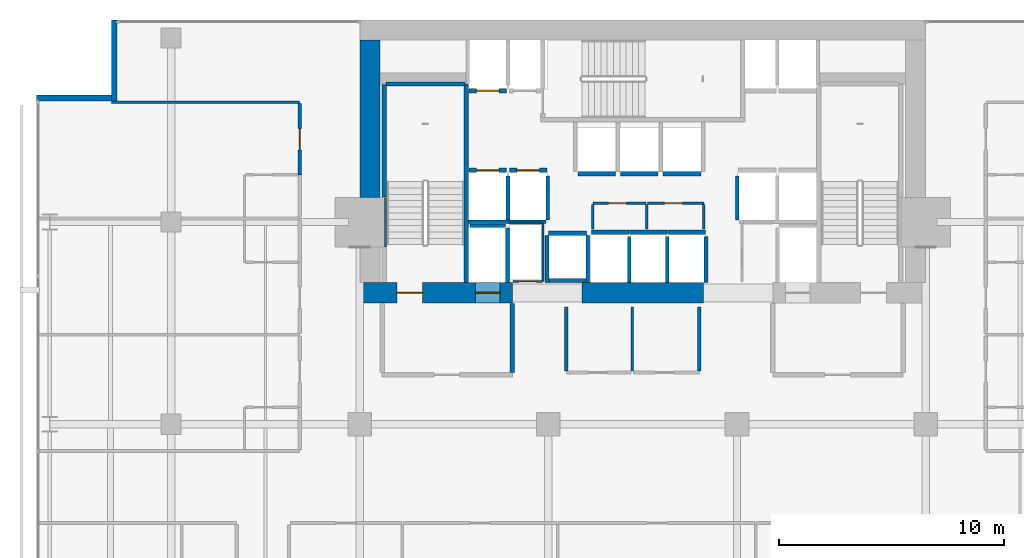
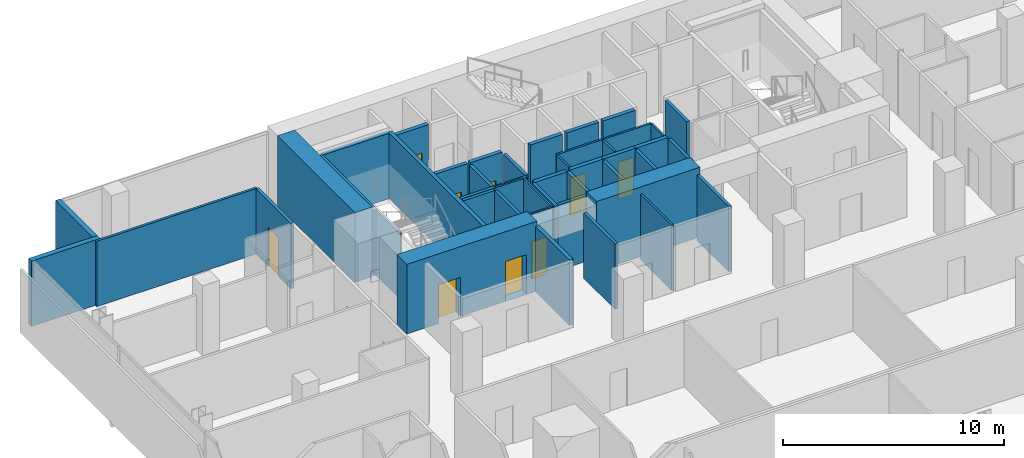
# One storey, part 36 of 41: 45 walls, 9 doors, 9 openings.
"""IFC4 building model written with IfcOpenShell, lengths in metres."""

from ifc_helpers import new_model, si_unit, direction, frame, frame_2d, origin, place, context, subcontext, project, spatial, rectangle, extrude, material, layer, layer_set, type_object, element, fill, save


model = new_model("IFC4")

# Units and contexts
model_context = context("Model", 3, precision=1e-05, world=origin(), true_north=direction((0.0, 1.0)))
body_context = subcontext(model_context, "Body", "Model", "MODEL_VIEW")
ifc_project = project(units=[si_unit("LENGTHUNIT", "METRE"), si_unit("AREAUNIT", "SQUARE_METRE"), si_unit("VOLUMEUNIT", "CUBIC_METRE"), si_unit("PLANEANGLEUNIT", "RADIAN"), si_unit("MASSUNIT", "GRAM", prefix="KILO")], contexts=[model_context])

# Site, building, storey
site_placement = place(None, origin())
site = spatial("IfcSite", under=ifc_project, at=site_placement, CompositionType="ELEMENT")
building_placement = place(site_placement, origin())
building = spatial("IfcBuilding", under=site, at=building_placement, Name="Maruvema Waterfront Hotel and Observation Tower", CompositionType="ELEMENT")
storey_placement = place(building_placement, frame((0.0, 0.0, 84.699951171875)))
storey = spatial("IfcBuildingStorey", under=building, at=storey_placement, Name="L20", CompositionType="ELEMENT", Elevation=84.699951171875)

# Walls
ifc_material_1 = material(Name="Twin-stud acoustic gypsum drywall", Category="gypsum")
ifc_layer_1 = layer(ifc_material_1, 0.14990234375, Name="Acoustic Corridor and Suite Demising Wall 150 mm")
ifc_layer_set_1 = layer_set([ifc_layer_1], Name="Twin-stud acoustic gypsum drywall")
wall_type_1 = type_object("IfcWallType", Name="Acoustic Corridor and Suite Demising Wall 150 mm", PredefinedType="PARTITIONING", material=ifc_layer_set_1)
for number, where, z_axis, x_axis, name in (
    (1, (34.39990234375, 38.3798828125, 0.0), (0.0, 0.0, 1.0), (0.0, 1.0, 0.0), "L20 Core Apron K2 West 019"),
    (2, (40.320068359375, 38.3798828125, 0.0), (0.0, 0.0, 1.0), (0.0, 1.0, 0.0), "L20 Core Apron K2 East 021"),
):
    element("IfcWall", number, at=place(storey_placement, frame(where, z_axis=z_axis, x_axis=x_axis)), inside=storey, type_object=wall_type_1, Name=name, PredefinedType="PARTITIONING", context=body_context, shape_type="SweptSolid", body=[
        extrude(rectangle(XDim=2.840087890625, YDim=0.14990234375, at=frame_2d((1.419921875, 0.0))), origin(), (0.0, 0.0, 1.0), 3.610107421875),
    ])

# Wall, opening, door
wall_1_placement = place(storey_placement, frame((22.52001953125, 47.1083984375, 0.0), z_axis=(0.0, 0.0, 1.0), x_axis=(0.0, 1.0, 0.0)))
wall_1 = element("IfcWall", 3, at=wall_1_placement, inside=storey, type_object=wall_type_1, Name="L20 Room L20-NW3 Corridor Wall 143", PredefinedType="PARTITIONING", context=body_context, shape_type="SweptSolid", body=[
    extrude(rectangle(XDim=3.169189453125, YDim=0.14990234375, at=frame_2d((1.58447265625, 0.0))), origin(), (0.0, 0.0, 1.0), 3.610107421875),
])
opening_1_placement = place(wall_1_placement, frame((1.109619140625, 0.0, 0.0)))
opening_1 = element("IfcOpeningElement", 4, at=opening_1_placement, cuts=wall_1, Name="Opening DR-095", PredefinedType="OPENING", context=body_context, shape_type="SweptSolid", body=[
    extrude(rectangle(XDim=0.949951171875, YDim=2.14990234375, at=frame_2d((0.47509765625, 1.074951171875))), frame((0.0, 0.0849609375, 0.0), z_axis=(0.0, -1.0, 0.0), x_axis=(1.0, 0.0, 0.0)), (0.0, 0.0, 1.0), 0.169921875),
])
ifc_material_2 = material(Name="Acoustic solid-core hardwood timber leaf", Category="wood")
door_type_1 = type_object("IfcDoorType", Name="Guestroom Entrance Fire Door 950x2150 mm", OperationType="NOTDEFINED", PredefinedType="DOOR", material=ifc_material_2)
door_1_placement = place(opening_1_placement, origin())
door_1 = element("IfcDoor", 5, at=door_1_placement, inside=storey, type_object=door_type_1, Name="L20 Room L20-NW3 Entrance Door", OperationType="SINGLE_SWING_LEFT", OverallHeight=2.14990234375, OverallWidth=0.949951171875, PredefinedType="DOOR", context=body_context, shape_type="SweptSolid", body=[
    extrude(rectangle(XDim=0.949951171875, YDim=2.14990234375, at=frame_2d((0.47509765625, 1.074951171875))), frame((0.0, 0.02490234375, 0.0), z_axis=(0.0, -1.0, 0.0), x_axis=(1.0, 0.0, 0.0)), (0.0, 0.0, 1.0), 0.050048828125),
])
fill(opening_1, door_1)

# Walls
ifc_material_3 = material(Name="Precast concrete C45/55", Category="concrete")
ifc_layer_2 = layer(ifc_material_3, 0.199951171875, Name="Core Shaft and Stairwell Enclosure Wall 200 mm")
ifc_layer_set_2 = layer_set([ifc_layer_2], Name="Precast concrete C45/55")
wall_type_2 = type_object("IfcWallType", Name="Core Shaft and Stairwell Enclosure Wall 200 mm", PredefinedType="SOLIDWALL", material=ifc_layer_set_2)
wall_2_placement = place(storey_placement, frame((29.949951171875, 42.300048828125, 0.0), z_axis=(0.0, 0.0, 1.0), x_axis=(0.0, 1.0, 0.0)))
element("IfcWall", 6, at=wall_2_placement, inside=storey, type_object=wall_type_2, Name="L20 Stairwell ST-01 East Shaft Wall", PredefinedType="SOLIDWALL", context=body_context, shape_type="SweptSolid", body=[
    extrude(rectangle(XDim=8.849853515625, YDim=0.199951171875, at=frame_2d((4.4248046875, 0.0))), origin(), (0.0, 0.0, 1.0), 3.610107421875),
])
wall_3_placement = place(storey_placement, frame((26.300048828125, 46.1201171875, 0.0), z_axis=(0.0, 0.0, 1.0), x_axis=(0.0, 1.0, 0.0)))
element("IfcWall", 7, at=wall_3_placement, inside=storey, type_object=wall_type_2, Name="L20 Stairwell ST-01 Shaft Lining Wall", PredefinedType="SOLIDWALL", context=body_context, shape_type="SweptSolid", body=[
    extrude(rectangle(XDim=5.0, YDim=0.199951171875, at=frame_2d((2.5, 0.0))), origin(), (0.0, 0.0, 1.0), 3.610107421875),
])
wall_4_placement = place(storey_placement, frame((26.3798828125, 51.14990234375, 0.0), z_axis=(0.0, 0.0, 1.0), x_axis=(1.0, 0.0, 0.0)))
element("IfcWall", 8, at=wall_4_placement, inside=storey, type_object=wall_type_2, Name="L20 Stairwell ST-01 Shaft Lining Wall", PredefinedType="SOLIDWALL", context=body_context, shape_type="SweptSolid", body=[
    extrude(rectangle(XDim=3.5, YDim=0.199951171875, at=frame_2d((1.75, 0.0))), origin(), (0.0, 0.0, 1.0), 3.610107421875),
])

# Wall, opening, door
wall_5_placement = place(storey_placement, frame((30.06005859375, 47.300048828125, 0.0), z_axis=(0.0, 0.0, 1.0), x_axis=(1.0, 0.0, 0.0)))
wall_5 = element("IfcWall", 9, at=wall_5_placement, inside=storey, type_object=wall_type_2, Name="L20 Lift LF-01 Hoistway Front Wall", PredefinedType="SOLIDWALL", context=body_context, shape_type="SweptSolid", body=[
    extrude(rectangle(XDim=1.679931640625, YDim=0.199951171875, at=frame_2d((0.83984375, 0.0))), origin(), (0.0, 0.0, 1.0), 3.610107421875),
])
opening_2_placement = place(wall_5_placement, frame((0.340087890625, 0.0, 0.0)))
opening_2 = element("IfcOpeningElement", 10, at=opening_2_placement, cuts=wall_5, Name="Opening LD-01", PredefinedType="OPENING", context=body_context, shape_type="SweptSolid", body=[
    extrude(rectangle(XDim=1.0, YDim=2.14990234375, at=frame_2d((0.5, 1.074951171875))), frame((0.0, 0.10986328125, 0.0), z_axis=(0.0, -1.0, 0.0), x_axis=(1.0, 0.0, 0.0)), (0.0, 0.0, 1.0), 0.219970703125),
])
ifc_material_4 = material(Name="Brushed stainless steel Grade 316", Category="steel")
door_type_2 = type_object("IfcDoorType", Name="Passenger Lift Sliding Landing Door 1000x2150 mm", OperationType="SLIDING_TO_LEFT", PredefinedType="DOOR", material=ifc_material_4)
door_2_placement = place(opening_2_placement, origin())
door_2 = element("IfcDoor", 11, at=door_2_placement, inside=storey, type_object=door_type_2, Name="L20 Lift LF-01 Sliding Landing Door", OperationType="SLIDING_TO_LEFT", OverallHeight=2.14990234375, OverallWidth=1.0, PredefinedType="DOOR", context=body_context, shape_type="SweptSolid", body=[
    extrude(rectangle(XDim=1.0, YDim=2.14990234375, at=frame_2d((0.5, 1.074951171875))), frame((0.0, 0.02490234375, 0.0), z_axis=(0.0, -1.0, 0.0), x_axis=(1.0, 0.0, 0.0)), (0.0, 0.0, 1.0), 0.050048828125),
])
fill(opening_2, door_2)

wall_6_placement = place(storey_placement, frame((31.860107421875, 47.300048828125, 0.0), z_axis=(0.0, 0.0, 1.0), x_axis=(1.0, 0.0, 0.0)))
wall_6 = element("IfcWall", 12, at=wall_6_placement, inside=storey, type_object=wall_type_2, Name="L20 Lift LF-02 Hoistway Front Wall", PredefinedType="SOLIDWALL", context=body_context, shape_type="SweptSolid", body=[
    extrude(rectangle(XDim=1.679931640625, YDim=0.199951171875, at=frame_2d((0.83984375, 0.0))), origin(), (0.0, 0.0, 1.0), 3.610107421875),
])
opening_3_placement = place(wall_6_placement, frame((0.340087890625, 0.0, 0.0)))
opening_3 = element("IfcOpeningElement", 13, at=opening_3_placement, cuts=wall_6, Name="Opening LD-01", PredefinedType="OPENING", context=body_context, shape_type="SweptSolid", body=[
    extrude(rectangle(XDim=1.0, YDim=2.14990234375, at=frame_2d((0.5, 1.074951171875))), frame((0.0, 0.10986328125, 0.0), z_axis=(0.0, -1.0, 0.0), x_axis=(1.0, 0.0, 0.0)), (0.0, 0.0, 1.0), 0.219970703125),
])
door_3_placement = place(opening_3_placement, origin())
door_3 = element("IfcDoor", 14, at=door_3_placement, inside=storey, type_object=door_type_2, Name="L20 Lift LF-02 Sliding Landing Door", OperationType="SLIDING_TO_LEFT", OverallHeight=2.14990234375, OverallWidth=1.0, PredefinedType="DOOR", context=body_context, shape_type="SweptSolid", body=[
    extrude(rectangle(XDim=1.0, YDim=2.14990234375, at=frame_2d((0.5, 1.074951171875))), frame((0.0, 0.02490234375, 0.0), z_axis=(0.0, -1.0, 0.0), x_axis=(1.0, 0.0, 0.0)), (0.0, 0.0, 1.0), 0.050048828125),
])
fill(opening_3, door_3)

wall_7_placement = place(storey_placement, frame((30.06005859375, 50.85009765625, 0.0), z_axis=(0.0, 0.0, 1.0), x_axis=(1.0, 0.0, 0.0)))
wall_7 = element("IfcWall", 15, at=wall_7_placement, inside=storey, type_object=wall_type_2, Name="L20 Lift LF-03 Hoistway Front Wall", PredefinedType="SOLIDWALL", context=body_context, shape_type="SweptSolid", body=[
    extrude(rectangle(XDim=1.679931640625, YDim=0.199951171875, at=frame_2d((0.83984375, 0.0))), origin(), (0.0, 0.0, 1.0), 3.610107421875),
])
opening_4_placement = place(wall_7_placement, frame((0.340087890625, 0.0, 0.0)))
opening_4 = element("IfcOpeningElement", 16, at=opening_4_placement, cuts=wall_7, Name="Opening LD-01", PredefinedType="OPENING", context=body_context, shape_type="SweptSolid", body=[
    extrude(rectangle(XDim=1.0, YDim=2.14990234375, at=frame_2d((0.5, 1.074951171875))), frame((0.0, 0.10986328125, 0.0), z_axis=(0.0, -1.0, 0.0), x_axis=(1.0, 0.0, 0.0)), (0.0, 0.0, 1.0), 0.219970703125),
])
door_4_placement = place(opening_4_placement, frame((1.0, 0.0, 0.0), z_axis=(0.0, 0.0, 1.0), x_axis=(-1.0, 0.0, 0.0)))
door_4 = element("IfcDoor", 17, at=door_4_placement, inside=storey, type_object=door_type_2, Name="L20 Lift LF-03 Sliding Landing Door", OperationType="SLIDING_TO_LEFT", OverallHeight=2.14990234375, OverallWidth=1.0, PredefinedType="DOOR", context=body_context, shape_type="SweptSolid", body=[
    extrude(rectangle(XDim=1.0, YDim=2.14990234375, at=frame_2d((0.5, 1.074951171875))), frame((0.0, 0.02490234375, 0.0), z_axis=(0.0, -1.0, 0.0), x_axis=(1.0, 0.0, 0.0)), (0.0, 0.0, 1.0), 0.050048828125),
])
fill(opening_4, door_4)

# Walls
for number, where, z_axis, x_axis, name in (
    (18, (35.510009765625, 44.550048828125, 0.0), (0.0, 0.0, 1.0), (1.0, 0.0, 0.0), "L20 Lift LF-09 Hoistway Front Wall"),
    (19, (37.2099609375, 44.550048828125, 0.0), (0.0, 0.0, 1.0), (1.0, 0.0, 0.0), "L20 Lift LF-10 Hoistway Front Wall"),
):
    element("IfcWall", number, at=place(storey_placement, frame(where, z_axis=z_axis, x_axis=x_axis)), inside=storey, type_object=wall_type_2, Name=name, PredefinedType="SOLIDWALL", context=body_context, shape_type="SweptSolid", body=[
        extrude(rectangle(XDim=1.679931640625, YDim=0.199951171875, at=frame_2d((0.83984375, 0.0))), origin(), (0.0, 0.0, 1.0), 3.610107421875),
    ])
for number, where, z_axis, x_axis, name in (
    (20, (38.909912109375, 44.550048828125, 0.0), (0.0, 0.0, 1.0), (1.0, 0.0, 0.0), "L20 Lift LF-11 Hoistway Front Wall"),
    (21, (34.909912109375, 47.14990234375, 0.0), (0.0, 0.0, 1.0), (1.0, 0.0, 0.0), "L20 Lift LF-12 Hoistway Front Wall"),
):
    element("IfcWall", number, at=place(storey_placement, frame(where, z_axis=z_axis, x_axis=x_axis)), inside=storey, type_object=wall_type_2, Name=name, PredefinedType="SOLIDWALL", context=body_context, shape_type="SweptSolid", body=[
        extrude(rectangle(XDim=1.68017578125, YDim=0.199951171875, at=frame_2d((0.840087890625, 0.0))), origin(), (0.0, 0.0, 1.0), 3.610107421875),
    ])
for number, where, z_axis, x_axis, name in (
    (22, (36.81005859375, 47.14990234375, 0.0), (0.0, 0.0, 1.0), (1.0, 0.0, 0.0), "L20 Lift LF-13 Hoistway Front Wall"),
    (23, (38.7099609375, 47.14990234375, 0.0), (0.0, 0.0, 1.0), (1.0, 0.0, 0.0), "L20 Lift LF-14 Hoistway Front Wall"),
    (24, (33.610107421875, 44.5, 0.0), (0.0, 0.0, 1.0), (1.0, 0.0, 0.0), "L20 Lift LF-15 Hoistway Front Wall"),
):
    element("IfcWall", number, at=place(storey_placement, frame(where, z_axis=z_axis, x_axis=x_axis)), inside=storey, type_object=wall_type_2, Name=name, PredefinedType="SOLIDWALL", context=body_context, shape_type="SweptSolid", body=[
        extrude(rectangle(XDim=1.679931640625, YDim=0.199951171875, at=frame_2d((0.83984375, 0.0))), origin(), (0.0, 0.0, 1.0), 3.610107421875),
    ])

# Wall, openings, doors
ifc_material_5 = material(Name="Concrete C80/95", Category="concrete")
ifc_layer_3 = layer(ifc_material_5, 0.89990234375, Name="Core Shear Wall 900 mm")
ifc_layer_set_3 = layer_set([ifc_layer_3], Name="Concrete C80/95")
wall_type_3 = type_object("IfcWallType", Name="Core Shear Wall 900 mm", PredefinedType="SHEAR", material=ifc_layer_set_3)
wall_8_placement = place(storey_placement, frame((25.199951171875, 41.85009765625, 0.0), z_axis=(0.0, 0.0, 1.0), x_axis=(1.0, 0.0, 0.0)))
wall_8 = element("IfcWall", 25, at=wall_8_placement, inside=storey, type_object=wall_type_3, Name="L20 South-West Core Shear Wall", PredefinedType="SHEAR", context=body_context, shape_type="SweptSolid", body=[
    extrude(rectangle(XDim=6.800048828125, YDim=0.89990234375, at=frame_2d((3.39990234375, 0.0))), origin(), (0.0, 0.0, 1.0), 3.85009765625),
])
opening_5_placement = place(wall_8_placement, frame((1.64990234375, 0.0, 0.0)))
opening_5 = element("IfcOpeningElement", 26, at=opening_5_placement, cuts=wall_8, Name="Opening SD-01", PredefinedType="OPENING", context=body_context, shape_type="SweptSolid", body=[
    extrude(rectangle(XDim=1.14990234375, YDim=2.14990234375, at=frame_2d((0.574951171875, 1.074951171875))), frame((0.0, 0.4599609375, 0.0), z_axis=(0.0, -1.0, 0.0), x_axis=(1.0, 0.0, 0.0)), (0.0, 0.0, 1.0), 0.919921875),
])
opening_6_placement = place(wall_8_placement, frame((5.14990234375, 0.0, 0.0)))
opening_6 = element("IfcOpeningElement", 27, at=opening_6_placement, cuts=wall_8, Name="Opening LD-03", PredefinedType="OPENING", context=body_context, shape_type="SweptSolid", body=[
    extrude(rectangle(XDim=1.10009765625, YDim=2.199951171875, at=frame_2d((0.550048828125, 1.10009765625))), frame((0.0, 0.4599609375, 0.0), z_axis=(0.0, -1.0, 0.0), x_axis=(1.0, 0.0, 0.0)), (0.0, 0.0, 1.0), 0.919921875),
])
ifc_material_6 = material(Name="Fire-rated galvanised steel leaf", Category="steel")
door_type_3 = type_object("IfcDoorType", Name="Exit Stair Fire Door 1150x2150 mm", OperationType="NOTDEFINED", PredefinedType="DOOR", material=ifc_material_6)
door_5_placement = place(opening_5_placement, origin())
door_5 = element("IfcDoor", 28, at=door_5_placement, inside=storey, type_object=door_type_3, Name="L20 Exit Stair ST-01 Fire Door", OperationType="SINGLE_SWING_LEFT", OverallHeight=2.14990234375, OverallWidth=1.14990234375, PredefinedType="DOOR", context=body_context, shape_type="SweptSolid", body=[
    extrude(rectangle(XDim=1.14990234375, YDim=2.14990234375, at=frame_2d((0.574951171875, 1.074951171875))), frame((0.0, 0.02490234375, 0.0), z_axis=(0.0, -1.0, 0.0), x_axis=(1.0, 0.0, 0.0)), (0.0, 0.0, 1.0), 0.050048828125),
])
fill(opening_5, door_5)
ifc_material_7 = material(Name="Brushed stainless steel Grade 316", Category="steel")
door_type_4 = type_object("IfcDoorType", Name="Firefighting Lift Sliding Landing Door 1100x2200 mm", OperationType="SLIDING_TO_LEFT", PredefinedType="DOOR", material=ifc_material_7)
door_6_placement = place(opening_6_placement, frame((1.10009765625, 0.0, 0.0), z_axis=(0.0, 0.0, 1.0), x_axis=(-1.0, 0.0, 0.0)))
door_6 = element("IfcDoor", 29, at=door_6_placement, inside=storey, type_object=door_type_4, Name="L20 Firefighting Lift FL-01 Landing Door", OperationType="SLIDING_TO_LEFT", OverallHeight=2.199951171875, OverallWidth=1.10009765625, PredefinedType="DOOR", context=body_context, shape_type="SweptSolid", body=[
    extrude(rectangle(XDim=1.10009765625, YDim=2.199951171875, at=frame_2d((0.550048828125, 1.10009765625))), frame((0.0, 0.02490234375, 0.0), z_axis=(0.0, -1.0, 0.0), x_axis=(1.0, 0.0, 0.0)), (0.0, 0.0, 1.0), 0.050048828125),
])
fill(opening_6, door_6)

# Walls
wall_9_placement = place(storey_placement, frame((35.10009765625, 41.85009765625, 0.0), z_axis=(0.0, 0.0, 1.0), x_axis=(1.0, 0.0, 0.0)))
element("IfcWall", 30, at=wall_9_placement, inside=storey, type_object=wall_type_3, Name="L20 South-Central Core Shear Wall", PredefinedType="SHEAR", context=body_context, shape_type="SweptSolid", body=[
    extrude(rectangle(XDim=5.39990234375, YDim=0.89990234375, at=frame_2d((2.699951171875, 0.0))), origin(), (0.0, 0.0, 1.0), 3.85009765625),
])
wall_10_placement = place(storey_placement, frame((25.64990234375, 46.10009765625, 0.0), z_axis=(0.0, 0.0, 1.0), x_axis=(0.0, 1.0, 0.0)))
element("IfcWall", 31, at=wall_10_placement, inside=storey, type_object=wall_type_3, Name="L20 West-North Core Shear Wall", PredefinedType="SHEAR", context=body_context, shape_type="SweptSolid", body=[
    extrude(rectangle(XDim=7.0, YDim=0.89990234375, at=frame_2d((3.5, 0.0))), origin(), (0.0, 0.0, 1.0), 3.85009765625),
])

# Wall, opening, door
ifc_material_8 = material(Name="Moisture-resistant cement-board drywall", Category="gypsum")
ifc_layer_4 = layer(ifc_material_8, 0.10009765625, Name="En-Suite Moisture-Resistant Partition 100 mm")
ifc_layer_set_4 = layer_set([ifc_layer_4], Name="Moisture-resistant cement-board drywall")
wall_type_4 = type_object("IfcWallType", Name="En-Suite Moisture-Resistant Partition 100 mm", PredefinedType="PARTITIONING", material=ifc_layer_set_4)
wall_11_placement = place(storey_placement, frame((32.02001953125, 42.360107421875, 0.0), z_axis=(0.0, 0.0, 1.0), x_axis=(1.0, 0.0, 0.0)))
wall_11 = element("IfcWall", 32, at=wall_11_placement, inside=storey, type_object=wall_type_4, Name="L20 Telecom Riser South Wall 007", PredefinedType="PARTITIONING", context=body_context, shape_type="SweptSolid", body=[
    extrude(rectangle(XDim=1.320068359375, YDim=0.10009765625, at=frame_2d((0.66015625, 0.0))), origin(), (0.0, 0.0, 1.0), 3.610107421875),
])
opening_7_placement = place(wall_11_placement, frame((0.239990234375, 0.0, 0.0)))
opening_7 = element("IfcOpeningElement", 33, at=opening_7_placement, cuts=wall_11, Name="Opening DR-080", PredefinedType="OPENING", context=body_context, shape_type="SweptSolid", body=[
    extrude(rectangle(XDim=0.800048828125, YDim=2.050048828125, at=frame_2d((0.39990234375, 1.02490234375))), frame((0.0, 0.06005859375, 0.0), z_axis=(0.0, -1.0, 0.0), x_axis=(1.0, 0.0, 0.0)), (0.0, 0.0, 1.0), 0.1201171875),
])
ifc_material_9 = material(Name="Powder-coated steel access leaf", Category="steel")
door_type_5 = type_object("IfcDoorType", Name="Riser and Service Cupboard Door 800x2050 mm", OperationType="NOTDEFINED", PredefinedType="DOOR", material=ifc_material_9)
door_7_placement = place(opening_7_placement, frame((0.800048828125, 0.0, 0.0), z_axis=(0.0, 0.0, 1.0), x_axis=(-1.0, 0.0, 0.0)))
door_7 = element("IfcDoor", 34, at=door_7_placement, inside=storey, type_object=door_type_5, Name="L20 Telecom Riser Door", OperationType="SINGLE_SWING_RIGHT", OverallHeight=2.050048828125, OverallWidth=0.800048828125, PredefinedType="DOOR", context=body_context, shape_type="SweptSolid", body=[
    extrude(rectangle(XDim=0.800048828125, YDim=2.050048828125, at=frame_2d((0.39990234375, 1.02490234375))), frame((0.0, 0.02490234375, 0.0), z_axis=(0.0, -1.0, 0.0), x_axis=(1.0, 0.0, 0.0)), (0.0, 0.0, 1.0), 0.050048828125),
])
fill(opening_7, door_7)

# Walls
wall_12_placement = place(storey_placement, frame((31.840087890625, 44.9599609375, 0.0), z_axis=(0.0, 0.0, 1.0), x_axis=(1.0, 0.0, 0.0)))
element("IfcWall", 35, at=wall_12_placement, inside=storey, type_object=wall_type_4, Name="L20 Telecom Riser North Wall 008", PredefinedType="PARTITIONING", context=body_context, shape_type="SweptSolid", body=[
    extrude(rectangle(XDim=1.47998046875, YDim=0.10009765625, at=frame_2d((0.739990234375, 0.0))), origin(), (0.0, 0.0, 1.0), 3.610107421875),
])
wall_13_placement = place(storey_placement, frame((33.360107421875, 42.360107421875, 0.0), z_axis=(0.0, 0.0, 1.0), x_axis=(0.0, 1.0, 0.0)))
element("IfcWall", 36, at=wall_13_placement, inside=storey, type_object=wall_type_4, Name="L20 Telecom Riser East Wall 009", PredefinedType="PARTITIONING", context=body_context, shape_type="SweptSolid", body=[
    extrude(rectangle(XDim=2.579833984375, YDim=0.10009765625, at=frame_2d((1.2900390625, 0.0))), origin(), (0.0, 0.0, 1.0), 3.610107421875),
])

# Wall, opening, door
wall_14_placement = place(storey_placement, frame((35.580078125, 45.840087890625, 0.0), z_axis=(0.0, 0.0, 1.0), x_axis=(1.0, 0.0, 0.0)))
wall_14 = element("IfcWall", 37, at=wall_14_placement, inside=storey, type_object=wall_type_4, Name="L20 Core Closet K2A North 010", PredefinedType="PARTITIONING", context=body_context, shape_type="SweptSolid", body=[
    extrude(rectangle(XDim=2.35986328125, YDim=0.10009765625, at=frame_2d((1.179931640625, 0.0))), origin(), (0.0, 0.0, 1.0), 3.610107421875),
])
opening_8_placement = place(wall_14_placement, frame((0.699951171875, 0.0, 0.0)))
opening_8 = element("IfcOpeningElement", 38, at=opening_8_placement, cuts=wall_14, Name="Opening DR-080", PredefinedType="OPENING", context=body_context, shape_type="SweptSolid", body=[
    extrude(rectangle(XDim=0.800048828125, YDim=2.050048828125, at=frame_2d((0.39990234375, 1.02490234375))), frame((0.0, 0.06005859375, 0.0), z_axis=(0.0, -1.0, 0.0), x_axis=(1.0, 0.0, 0.0)), (0.0, 0.0, 1.0), 0.1201171875),
])
door_8_placement = place(opening_8_placement, origin())
door_8 = element("IfcDoor", 39, at=door_8_placement, inside=storey, type_object=door_type_5, Name="L20 Core IT Closet Door", OperationType="SINGLE_SWING_LEFT", OverallHeight=2.050048828125, OverallWidth=0.800048828125, PredefinedType="DOOR", context=body_context, shape_type="SweptSolid", body=[
    extrude(rectangle(XDim=0.800048828125, YDim=2.050048828125, at=frame_2d((0.39990234375, 1.02490234375))), frame((0.0, 0.02490234375, 0.0), z_axis=(0.0, -1.0, 0.0), x_axis=(1.0, 0.0, 0.0)), (0.0, 0.0, 1.0), 0.050048828125),
])
fill(opening_8, door_8)

wall_15_placement = place(storey_placement, frame((38.02001953125, 45.840087890625, 0.0), z_axis=(0.0, 0.0, 1.0), x_axis=(1.0, 0.0, 0.0)))
wall_15 = element("IfcWall", 40, at=wall_15_placement, inside=storey, type_object=wall_type_4, Name="L20 Core Closet K2B North 011", PredefinedType="PARTITIONING", context=body_context, shape_type="SweptSolid", body=[
    extrude(rectangle(XDim=2.5, YDim=0.10009765625, at=frame_2d((1.25, 0.0))), origin(), (0.0, 0.0, 1.0), 3.610107421875),
])
opening_9_placement = place(wall_15_placement, frame((0.75, 0.0, 0.0)))
opening_9 = element("IfcOpeningElement", 41, at=opening_9_placement, cuts=wall_15, Name="Opening DR-080", PredefinedType="OPENING", context=body_context, shape_type="SweptSolid", body=[
    extrude(rectangle(XDim=0.800048828125, YDim=2.050048828125, at=frame_2d((0.39990234375, 1.02490234375))), frame((0.0, 0.06005859375, 0.0), z_axis=(0.0, -1.0, 0.0), x_axis=(1.0, 0.0, 0.0)), (0.0, 0.0, 1.0), 0.1201171875),
])
door_9_placement = place(opening_9_placement, origin())
door_9 = element("IfcDoor", 42, at=door_9_placement, inside=storey, type_object=door_type_5, Name="L20 Core Linen Cupboard Door", OperationType="SINGLE_SWING_RIGHT", OverallHeight=2.050048828125, OverallWidth=0.800048828125, PredefinedType="DOOR", context=body_context, shape_type="SweptSolid", body=[
    extrude(rectangle(XDim=0.800048828125, YDim=2.050048828125, at=frame_2d((0.39990234375, 1.02490234375))), frame((0.0, 0.02490234375, 0.0), z_axis=(0.0, -1.0, 0.0), x_axis=(1.0, 0.0, 0.0)), (0.0, 0.0, 1.0), 0.050048828125),
])
fill(opening_9, door_9)

# Walls
for number, where, z_axis, x_axis, name in (
    (43, (35.580078125, 44.699951171875, 0.0), (0.0, 0.0, 1.0), (0.0, 1.0, 0.0), "L20 Core Closet K2 West 012"),
    (44, (37.97998046875, 44.699951171875, 0.0), (0.0, 0.0, 1.0), (0.0, 1.0, 0.0), "L20 Core Closet K2 Mid 013"),
    (45, (40.52001953125, 44.699951171875, 0.0), (0.0, 0.0, 1.0), (0.0, 1.0, 0.0), "L20 Core Closet K2 East 014"),
):
    element("IfcWall", number, at=place(storey_placement, frame(where, z_axis=z_axis, x_axis=x_axis)), inside=storey, type_object=wall_type_4, Name=name, PredefinedType="PARTITIONING", context=body_context, shape_type="SweptSolid", body=[
        extrude(rectangle(XDim=1.080078125, YDim=0.10009765625, at=frame_2d((0.5400390625, 0.0))), origin(), (0.0, 0.0, 1.0), 3.610107421875),
    ])
wall_16_placement = place(storey_placement, frame((37.330078125, 38.3798828125, 0.0), z_axis=(0.0, 0.0, 1.0), x_axis=(0.0, 1.0, 0.0)))
element("IfcWall", 46, at=wall_16_placement, inside=storey, type_object=wall_type_4, Name="L20 Core Apron K2 Split 020", PredefinedType="PARTITIONING", context=body_context, shape_type="SweptSolid", body=[
    extrude(rectangle(XDim=2.840087890625, YDim=0.10009765625, at=frame_2d((1.419921875, 0.0))), origin(), (0.0, 0.0, 1.0), 3.610107421875),
])
ifc_material_10 = material(Name="Precast concrete C45/55 with honed Pernambuco granite facing", Category="masonry")
ifc_layer_5 = layer(ifc_material_10, 0.260009765625, Name="Exterior Granite Clad Spandrel and Pier Wall 260 mm")
ifc_layer_set_5 = layer_set([ifc_layer_5], Name="Precast concrete C45/55 with honed Pernambuco granite facing")
wall_type_5 = type_object("IfcWallType", Name="Exterior Granite Clad Spandrel and Pier Wall 260 mm", PredefinedType="SOLIDWALL", material=ifc_layer_set_5)
wall_17_placement = place(storey_placement, frame((14.27001953125, 50.39990234375, 0.0), z_axis=(0.0, 0.0, 1.0), x_axis=(0.0, 1.0, 0.0)))
element("IfcWall", 47, at=wall_17_placement, inside=storey, type_object=wall_type_5, Name="L20 Corner Notch Granite Pier Wall NW1", PredefinedType="SOLIDWALL", context=body_context, shape_type="SweptSolid", body=[
    extrude(rectangle(XDim=3.60009765625, YDim=0.260009765625, at=frame_2d((1.800048828125, 0.0))), origin(), (0.0, 0.0, 1.0), 3.610107421875),
])
wall_18_placement = place(storey_placement, frame((10.800048828125, 50.530029296875, 0.0), z_axis=(0.0, 0.0, 1.0), x_axis=(1.0, 0.0, 0.0)))
element("IfcWall", 48, at=wall_18_placement, inside=storey, type_object=wall_type_5, Name="L20 Corner Notch Granite Pier Wall NW2", PredefinedType="SOLIDWALL", context=body_context, shape_type="SweptSolid", body=[
    extrude(rectangle(XDim=3.599853515625, YDim=0.260009765625, at=frame_2d((1.7998046875, 0.0))), origin(), (0.0, 0.0, 1.0), 3.610107421875),
])
ifc_material_11 = material(Name="Autoclaved cellular concrete blockwork", Category="masonry")
ifc_layer_6 = layer(ifc_material_11, 0.199951171875, Name="Fire Compartment Masonry Wall 200 mm")
ifc_layer_set_6 = layer_set([ifc_layer_6], Name="Autoclaved cellular concrete blockwork")
wall_type_6 = type_object("IfcWallType", Name="Fire Compartment Masonry Wall 200 mm", PredefinedType="PARTITIONING", material=ifc_layer_set_6)
wall_19_placement = place(storey_placement, frame((32.0, 38.31005859375, 0.0), z_axis=(0.0, 0.0, 1.0), x_axis=(0.0, 1.0, 0.0)))
element("IfcWall", 49, at=wall_19_placement, inside=storey, type_object=wall_type_6, Name="L20 FFL West East Wall 003", PredefinedType="PARTITIONING", context=body_context, shape_type="SweptSolid", body=[
    extrude(rectangle(XDim=3.06982421875, YDim=0.199951171875, at=frame_2d((1.534912109375, 0.0))), origin(), (0.0, 0.0, 1.0), 3.610107421875),
])
ifc_material_12 = material(Name="Acoustic gypsum plasterboard drywall", Category="gypsum")
ifc_layer_7 = layer(ifc_material_12, 0.125, Name="Guestroom Acoustic Demising Wall 125 mm")
ifc_layer_set_7 = layer_set([ifc_layer_7], Name="Acoustic gypsum plasterboard drywall")
wall_type_7 = type_object("IfcWallType", Name="Guestroom Acoustic Demising Wall 125 mm", PredefinedType="PARTITIONING", material=ifc_layer_set_7)
wall_20_placement = place(storey_placement, frame((14.139892578125, 50.33740234375, 0.0), z_axis=(0.0, 0.0, 1.0), x_axis=(1.0, 0.0, 0.0)))
element("IfcWall", 50, at=wall_20_placement, inside=storey, type_object=wall_type_7, Name="L20 NW Top End 120", PredefinedType="PARTITIONING", context=body_context, shape_type="SweptSolid", body=[
    extrude(rectangle(XDim=8.380126953125, YDim=0.125, at=frame_2d((4.18994140625, 0.0))), origin(), (0.0, 0.0, 1.0), 3.610107421875),
])
ifc_material_13 = material(Name="Precast concrete C45/55", Category="concrete")
ifc_layer_8 = layer(ifc_material_13, 0.159912109375, Name="Lift Hoistway Divider Wall 160 mm")
ifc_layer_set_8 = layer_set([ifc_layer_8], Name="Precast concrete C45/55")
wall_type_8 = type_object("IfcWallType", Name="Lift Hoistway Divider Wall 160 mm", PredefinedType="SOLIDWALL", material=ifc_layer_set_8)
wall_21_placement = place(storey_placement, frame((30.10009765625, 44.830078125, 0.0), z_axis=(0.0, 0.0, 1.0), x_axis=(1.0, 0.0, 0.0)))
element("IfcWall", 51, at=wall_21_placement, inside=storey, type_object=wall_type_8, Name="L20 Lift FL-01 Rear Hoistway Wall", PredefinedType="SOLIDWALL", context=body_context, shape_type="SweptSolid", body=[
    extrude(rectangle(XDim=1.599853515625, YDim=0.159912109375, at=frame_2d((0.7998046875, 0.0))), origin(), (0.0, 0.0, 1.0), 3.610107421875),
])
wall_22_placement = place(storey_placement, frame((31.780029296875, 42.300048828125, 0.0), z_axis=(0.0, 0.0, 1.0), x_axis=(0.0, 1.0, 0.0)))
element("IfcWall", 52, at=wall_22_placement, inside=storey, type_object=wall_type_8, Name="L20 Lift FL-01 Inner Hoistway Wall", PredefinedType="SOLIDWALL", context=body_context, shape_type="SweptSolid", body=[
    extrude(rectangle(XDim=2.43994140625, YDim=0.159912109375, at=frame_2d((1.219970703125, 0.0))), origin(), (0.0, 0.0, 1.0), 3.610107421875),
])
for number, where, z_axis, x_axis, name in (
    (53, (31.800048828125, 45.10009765625, 0.0), (0.0, 0.0, 1.0), (0.0, 1.0, 0.0), "L20 Hoistway Divider Wall"),
    (54, (33.580078125, 45.10009765625, 0.0), (0.0, 0.0, 1.0), (0.0, 1.0, 0.0), "L20 Hoistway Divider Wall"),
):
    element("IfcWall", number, at=place(storey_placement, frame(where, z_axis=z_axis, x_axis=x_axis)), inside=storey, type_object=wall_type_8, Name=name, PredefinedType="SOLIDWALL", context=body_context, shape_type="SweptSolid", body=[
        extrude(rectangle(XDim=1.949951171875, YDim=0.159912109375, at=frame_2d((0.97509765625, 0.0))), origin(), (0.0, 0.0, 1.0), 3.610107421875),
    ])
wall_23_placement = place(storey_placement, frame((30.050048828125, 45.010009765625, 0.0), z_axis=(0.0, 0.0, 1.0), x_axis=(1.0, 0.0, 0.0)))
element("IfcWall", 55, at=wall_23_placement, inside=storey, type_object=wall_type_8, Name="L20 Hoistway Divider Wall", PredefinedType="SOLIDWALL", context=body_context, shape_type="SweptSolid", body=[
    extrude(rectangle(XDim=3.449951171875, YDim=0.159912109375, at=frame_2d((1.72509765625, 0.0))), origin(), (0.0, 0.0, 1.0), 3.610107421875),
])
wall_24_placement = place(storey_placement, frame((42.02001953125, 45.10009765625, 0.0), z_axis=(0.0, 0.0, 1.0), x_axis=(0.0, 1.0, 0.0)))
element("IfcWall", 56, at=wall_24_placement, inside=storey, type_object=wall_type_8, Name="L20 Hoistway Divider Wall", PredefinedType="SOLIDWALL", context=body_context, shape_type="SweptSolid", body=[
    extrude(rectangle(XDim=1.949951171875, YDim=0.159912109375, at=frame_2d((0.97509765625, 0.0))), origin(), (0.0, 0.0, 1.0), 3.610107421875),
])
for number, where, z_axis, x_axis, name in (
    (57, (37.199951171875, 42.300048828125, 0.0), (0.0, 0.0, 1.0), (0.0, 1.0, 0.0), "L20 Hoistway Divider Wall"),
    (58, (38.89990234375, 42.300048828125, 0.0), (0.0, 0.0, 1.0), (0.0, 1.0, 0.0), "L20 Hoistway Divider Wall"),
    (59, (40.6201171875, 42.300048828125, 0.0), (0.0, 0.0, 1.0), (0.0, 1.0, 0.0), "L20 Hoistway Divider Wall"),
):
    element("IfcWall", number, at=place(storey_placement, frame(where, z_axis=z_axis, x_axis=x_axis)), inside=storey, type_object=wall_type_8, Name=name, PredefinedType="SOLIDWALL", context=body_context, shape_type="SweptSolid", body=[
        extrude(rectangle(XDim=2.050048828125, YDim=0.159912109375, at=frame_2d((1.02490234375, 0.0))), origin(), (0.0, 0.0, 1.0), 3.610107421875),
    ])
for number, where, z_axis, x_axis, name in (
    (60, (33.5400390625, 42.300048828125, 0.0), (0.0, 0.0, 1.0), (0.0, 1.0, 0.0), "L20 Hoistway Divider Wall"),
    (61, (35.360107421875, 42.300048828125, 0.0), (0.0, 0.0, 1.0), (0.0, 1.0, 0.0), "L20 Hoistway Divider Wall"),
):
    element("IfcWall", number, at=place(storey_placement, frame(where, z_axis=z_axis, x_axis=x_axis)), inside=storey, type_object=wall_type_8, Name=name, PredefinedType="SOLIDWALL", context=body_context, shape_type="SweptSolid", body=[
        extrude(rectangle(XDim=2.099853515625, YDim=0.159912109375, at=frame_2d((1.0498046875, 0.0))), origin(), (0.0, 0.0, 1.0), 3.610107421875),
    ])
wall_25_placement = place(storey_placement, frame((33.6201171875, 42.39990234375, 0.0), z_axis=(0.0, 0.0, 1.0), x_axis=(1.0, 0.0, 0.0)))
element("IfcWall", 62, at=wall_25_placement, inside=storey, type_object=wall_type_8, Name="L20 Hoistway Divider Wall", PredefinedType="SOLIDWALL", context=body_context, shape_type="SweptSolid", body=[
    extrude(rectangle(XDim=1.659912109375, YDim=0.159912109375, at=frame_2d((0.830078125, 0.0))), origin(), (0.0, 0.0, 1.0), 3.610107421875),
])
ifc_material_14 = material(Name="Precast concrete C45/55", Category="concrete")
ifc_layer_9 = layer(ifc_material_14, 0.10009765625, Name="Stairwell Stringer Cheek Wall 100 mm")
ifc_layer_set_9 = layer_set([ifc_layer_9], Name="Precast concrete C45/55")
wall_type_9 = type_object("IfcWallType", Name="Stairwell Stringer Cheek Wall 100 mm", PredefinedType="SOLIDWALL", material=ifc_layer_set_9)
wall_26_placement = place(storey_placement, frame((26.35205078125, 43.89990234375, 0.0), z_axis=(0.0, 0.0, 1.0), x_axis=(0.0, 1.0, 0.0)))
element("IfcWall", 63, at=wall_26_placement, inside=storey, type_object=wall_type_9, Name="L20 Stairwell ST-01 Mega-Column Cheek Wall", PredefinedType="SOLIDWALL", context=body_context, shape_type="SweptSolid", body=[
    extrude(rectangle(XDim=2.2001953125, YDim=0.10009765625, at=frame_2d((1.10009765625, 0.0))), origin(), (0.0, 0.0, 1.0), 3.610107421875),
])

save(model, "model.ifc")
